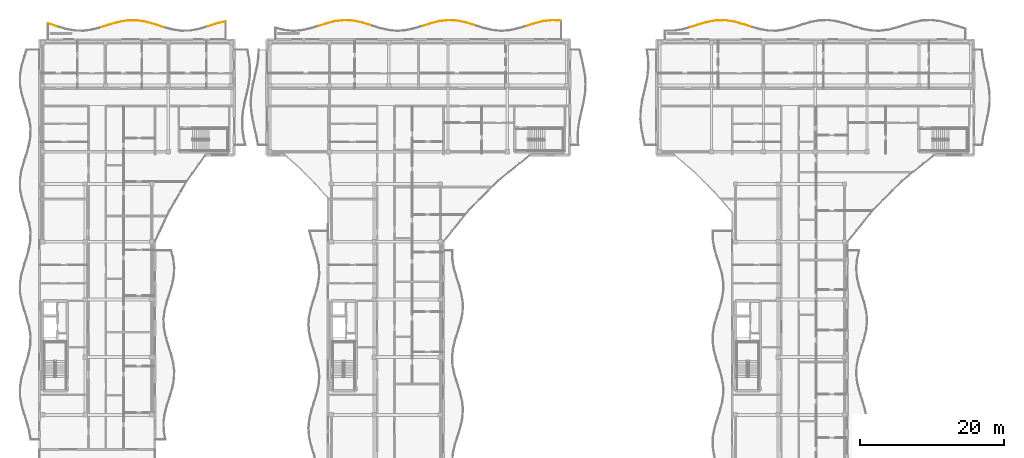
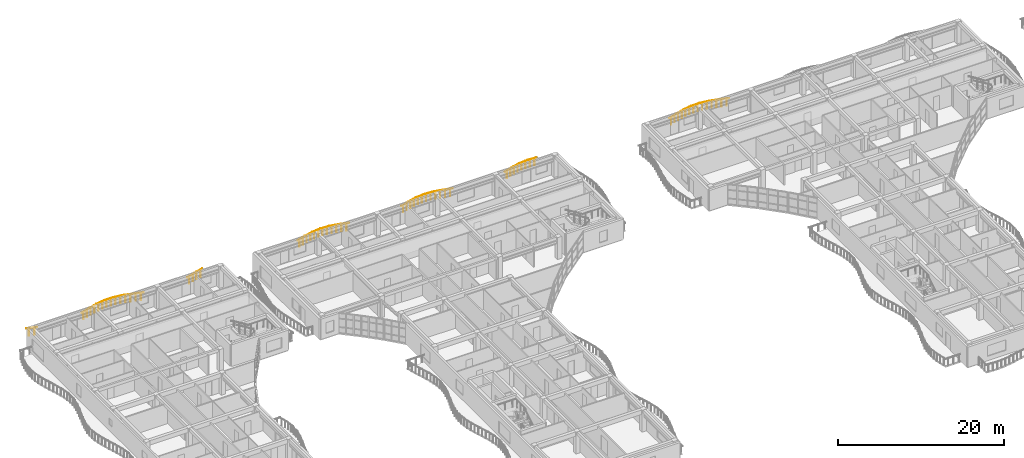
# One storey, part 65 of 72: 33 railings.
"""IFC4 building model written with IfcOpenShell, lengths in metres."""

from ifc_helpers import new_model, si_unit, direction, frame, origin, origin_2d, place, context, subcontext, project, spatial, circle, extrude, material, type_object, element, save


model = new_model("IFC4")

# Units and contexts
model_context = context("Model", 3, precision=1e-05, world=origin(), true_north=direction((0.0, 1.0)))
body_context = subcontext(model_context, "Body", "Model", "MODEL_VIEW")
ifc_project = project(units=[si_unit("LENGTHUNIT", "METRE"), si_unit("AREAUNIT", "SQUARE_METRE"), si_unit("VOLUMEUNIT", "CUBIC_METRE"), si_unit("PLANEANGLEUNIT", "RADIAN"), si_unit("MASSUNIT", "GRAM", prefix="KILO")], contexts=[model_context])

# Site, building, storey
site_placement = place(None, origin())
site = spatial("IfcSite", under=ifc_project, at=site_placement, CompositionType="ELEMENT")
building_placement = place(site_placement, origin())
building = spatial("IfcBuilding", under=site, at=building_placement, Name="Keldmere Railside Commons", CompositionType="ELEMENT")
storey_placement = place(building_placement, frame((0.0, 0.0, 16.9599609375)))
storey = spatial("IfcBuildingStorey", under=building, at=storey_placement, Name="L05", CompositionType="ELEMENT", Elevation=16.9599609375)

# Railings
ifc_material = material(Name="Steel F-24 (S235)", Category="steel")
railing_type = type_object("IfcRailingType", Name="Balcony & Terrace Steel Balustrade 1100", PredefinedType="BALUSTRADE", material=ifc_material)
railing_1_placement = place(storey_placement, frame((9.199951171875, 118.236083984375, 0.0)))
element("IfcRailing", 1, at=railing_1_placement, inside=storey, type_object=railing_type, Name="GR-1 GRD-L05-0504", PredefinedType="BALUSTRADE", context=body_context, shape_type="SweptSolid", body=[
    extrude(circle(Radius=0.02392578125, at=origin_2d()), frame((0.0, 0.0, 1.076171875), z_axis=(0.952213242201, -0.305434021317, 0.0), x_axis=(0.305434021317, 0.952213242201, 0.0)), (0.0, 0.0, 1.0), 1.291748046875),
    extrude(circle(Radius=0.02099609375, at=origin_2d()), frame((0.3076171875, -0.0986328125, 0.0)), (0.0, 0.0, 1.0), 1.048095703125),
    extrude(circle(Radius=0.02099609375, at=origin_2d()), frame((0.92236328125, -0.2958984375, 0.0)), (0.0, 0.0, 1.0), 1.048095703125),
])
railing_2_placement = place(storey_placement, frame((16.580078125, 117.718994140625, 0.0)))
element("IfcRailing", 2, at=railing_2_placement, inside=storey, type_object=railing_type, Name="GR-1 GRD-L05-0510", PredefinedType="BALUSTRADE", context=body_context, shape_type="SweptSolid", body=[
    extrude(circle(Radius=0.02392578125, at=origin_2d()), frame((0.0, 0.0, 1.076171875), z_axis=(0.951607090791, 0.307317335593, 0.0), x_axis=(-0.307317335593, 0.951607090791, 0.0)), (0.0, 0.0, 1.0), 1.29248046875),
    extrude(circle(Radius=0.02099609375, at=origin_2d()), frame((0.3076171875, 0.099365234375, 0.0)), (0.0, 0.0, 1.0), 1.048095703125),
    extrude(circle(Radius=0.02099609375, at=origin_2d()), frame((0.92236328125, 0.2978515625, 0.0)), (0.0, 0.0, 1.0), 1.048095703125),
])
railing_3_placement = place(storey_placement, frame((17.81005859375, 118.1162109375, 0.0)))
element("IfcRailing", 3, at=railing_3_placement, inside=storey, type_object=railing_type, Name="GR-1 GRD-L05-0511", PredefinedType="BALUSTRADE", context=body_context, shape_type="SweptSolid", body=[
    extrude(circle(Radius=0.02392578125, at=origin_2d()), frame((0.0, 0.0, 1.076171875), z_axis=(0.961696637472, 0.274115992737, 0.0), x_axis=(-0.274115992737, 0.961696637472, 0.0)), (0.0, 0.0, 1.0), 1.279052734375),
    extrude(circle(Radius=0.02099609375, at=origin_2d()), frame((0.3076171875, 0.087646484375, 0.0)), (0.0, 0.0, 1.0), 1.048095703125),
    extrude(circle(Radius=0.02099609375, at=origin_2d()), frame((0.92236328125, 0.262939453125, 0.0)), (0.0, 0.0, 1.0), 1.048095703125),
])
railing_4_placement = place(storey_placement, frame((19.0400390625, 118.466796875, 0.0)))
element("IfcRailing", 4, at=railing_4_placement, inside=storey, type_object=railing_type, Name="GR-1 GRD-L05-0512", PredefinedType="BALUSTRADE", context=body_context, shape_type="SweptSolid", body=[
    extrude(circle(Radius=0.02392578125, at=origin_2d()), frame((0.0, 0.0, 1.076171875), z_axis=(0.98635155981, 0.16465296979, 0.0), x_axis=(-0.16465296979, 0.98635155981, 0.0)), (0.0, 0.0, 1.0), 1.2470703125),
    extrude(circle(Radius=0.02099609375, at=origin_2d()), frame((0.3076171875, 0.05126953125, 0.0)), (0.0, 0.0, 1.0), 1.048095703125),
    extrude(circle(Radius=0.02099609375, at=origin_2d()), frame((0.92236328125, 0.154052734375, 0.0)), (0.0, 0.0, 1.0), 1.048095703125),
])
railing_5_placement = place(storey_placement, frame((20.27001953125, 118.672119140625, 0.0)))
element("IfcRailing", 5, at=railing_5_placement, inside=storey, type_object=railing_type, Name="GR-1 GRD-L05-0513", PredefinedType="BALUSTRADE", context=body_context, shape_type="SweptSolid", body=[
    extrude(circle(Radius=0.02392578125, at=origin_2d()), frame((0.0, 0.0, 1.076171875), z_axis=(0.99999840435, 0.001786420333, 0.0), x_axis=(-0.001786420333, 0.99999840435, 0.0)), (0.0, 0.0, 1.0), 1.22998046875),
    extrude(circle(Radius=0.02099609375, at=origin_2d()), frame((0.3076171875, 0.00048828125, 0.0)), (0.0, 0.0, 1.0), 1.048095703125),
    extrude(circle(Radius=0.02099609375, at=origin_2d()), frame((0.92236328125, 0.001708984375, 0.0)), (0.0, 0.0, 1.0), 1.048095703125),
])
railing_6_placement = place(storey_placement, frame((21.5, 118.67431640625, 0.0)))
element("IfcRailing", 6, at=railing_6_placement, inside=storey, type_object=railing_type, Name="GR-1 GRD-L05-0514", PredefinedType="BALUSTRADE", context=body_context, shape_type="SweptSolid", body=[
    extrude(circle(Radius=0.02392578125, at=origin_2d()), frame((0.0, 0.0, 1.076171875), z_axis=(0.986824589142, -0.161793789327, 0.0), x_axis=(0.161793789327, 0.986824589142, 0.0)), (0.0, 0.0, 1.0), 1.246337890625),
    extrude(circle(Radius=0.02099609375, at=origin_2d()), frame((0.3076171875, -0.05029296875, 0.0)), (0.0, 0.0, 1.0), 1.048095703125),
    extrude(circle(Radius=0.02099609375, at=origin_2d()), frame((0.92236328125, -0.1513671875, 0.0)), (0.0, 0.0, 1.0), 1.048095703125),
])
railing_7_placement = place(storey_placement, frame((22.72998046875, 118.47265625, 0.0)))
element("IfcRailing", 7, at=railing_7_placement, inside=storey, type_object=railing_type, Name="GR-1 GRD-L05-0515", PredefinedType="BALUSTRADE", context=body_context, shape_type="SweptSolid", body=[
    extrude(circle(Radius=0.02392578125, at=origin_2d()), frame((0.0, 0.0, 1.076171875), z_axis=(0.962148428688, -0.272525964219, 0.0), x_axis=(0.272525964219, 0.962148428688, 0.0)), (0.0, 0.0, 1.0), 1.2783203125),
    extrude(circle(Radius=0.02099609375, at=origin_2d()), frame((0.3076171875, -0.087158203125, 0.0)), (0.0, 0.0, 1.0), 1.048095703125),
    extrude(circle(Radius=0.02099609375, at=origin_2d()), frame((0.92236328125, -0.26123046875, 0.0)), (0.0, 0.0, 1.0), 1.048095703125),
])
railing_8_placement = place(storey_placement, frame((23.9599609375, 118.124267578125, 0.0)))
element("IfcRailing", 8, at=railing_8_placement, inside=storey, type_object=railing_type, Name="GR-1 GRD-L05-0516", PredefinedType="BALUSTRADE", context=body_context, shape_type="SweptSolid", body=[
    extrude(circle(Radius=0.02392578125, at=origin_2d()), frame((0.0, 0.0, 1.076171875), z_axis=(0.951551839828, -0.307488367455, 0.0), x_axis=(0.307488367455, 0.951551839828, 0.0)), (0.0, 0.0, 1.0), 1.292724609375),
    extrude(circle(Radius=0.02099609375, at=origin_2d()), frame((0.3076171875, -0.099365234375, 0.0)), (0.0, 0.0, 1.0), 1.048095703125),
    extrude(circle(Radius=0.02099609375, at=origin_2d()), frame((0.92236328125, -0.298095703125, 0.0)), (0.0, 0.0, 1.0), 1.048095703125),
])
railing_9_placement = place(storey_placement, frame((31.340087890625, 117.83349609375, 0.0)))
element("IfcRailing", 9, at=railing_9_placement, inside=storey, type_object=railing_type, Name="GR-1 GRD-L05-0522", PredefinedType="BALUSTRADE", context=body_context, shape_type="SweptSolid", body=[
    extrude(circle(Radius=0.02392578125, at=origin_2d()), frame((0.0, 0.0, 1.076171875), z_axis=(0.952048221297, 0.305948009186, 0.0), x_axis=(-0.305948009186, 0.952048221297, 0.0)), (0.0, 0.0, 1.0), 1.2919921875),
    extrude(circle(Radius=0.02099609375, at=origin_2d()), frame((0.3076171875, 0.098876953125, 0.0)), (0.0, 0.0, 1.0), 1.048095703125),
    extrude(circle(Radius=0.02099609375, at=origin_2d()), frame((0.92236328125, 0.29638671875, 0.0)), (0.0, 0.0, 1.0), 1.048095703125),
])
railing_10_placement = place(storey_placement, frame((32.570068359375, 118.228759765625, 0.0)))
element("IfcRailing", 10, at=railing_10_placement, inside=storey, type_object=railing_type, Name="GR-1 GRD-L05-0523", PredefinedType="BALUSTRADE", context=body_context, shape_type="SweptSolid", body=[
    extrude(circle(Radius=0.02392578125, at=origin_2d()), frame((0.0, 0.0, 1.076171875), z_axis=(0.968422686857, 0.249314058129, 0.0), x_axis=(-0.249314058129, 0.968422686857, 0.0)), (0.0, 0.0, 1.0), 1.27001953125),
    extrude(circle(Radius=0.02099609375, at=origin_2d()), frame((0.3076171875, 0.0791015625, 0.0)), (0.0, 0.0, 1.0), 1.048095703125),
    extrude(circle(Radius=0.02099609375, at=origin_2d()), frame((0.92236328125, 0.237548828125, 0.0)), (0.0, 0.0, 1.0), 1.048095703125),
])
railing_11_placement = place(storey_placement, frame((46.699951171875, 117.901123046875, 0.0)))
element("IfcRailing", 11, at=railing_11_placement, inside=storey, type_object=railing_type, Name="GR-1 GRD-L05-1312", PredefinedType="BALUSTRADE", context=body_context, shape_type="SweptSolid", body=[
    extrude(circle(Radius=0.02392578125, at=origin_2d()), frame((0.0, 0.0, 1.076171875), z_axis=(0.953142020151, 0.302523204768, 0.0), x_axis=(-0.302523204768, 0.953142020151, 0.0)), (0.0, 0.0, 1.0), 1.259033203125),
    extrude(circle(Radius=0.02099609375, at=origin_2d()), frame((0.300048828125, 0.09521484375, 0.0)), (0.0, 0.0, 1.0), 1.048095703125),
    extrude(circle(Radius=0.02099609375, at=origin_2d()), frame((0.89990234375, 0.28564453125, 0.0)), (0.0, 0.0, 1.0), 1.048095703125),
])
railing_12_placement = place(storey_placement, frame((47.89990234375, 118.281982421875, 0.0)))
element("IfcRailing", 12, at=railing_12_placement, inside=storey, type_object=railing_type, Name="GR-1 GRD-L05-1313", PredefinedType="BALUSTRADE", context=body_context, shape_type="SweptSolid", body=[
    extrude(circle(Radius=0.02392578125, at=origin_2d()), frame((0.0, 0.0, 1.076171875), z_axis=(0.971703171195, 0.236205307074, 0.0), x_axis=(-0.236205307074, 0.971703171195, 0.0)), (0.0, 0.0, 1.0), 1.235107421875),
    extrude(circle(Radius=0.02099609375, at=origin_2d()), frame((0.300048828125, 0.072998046875, 0.0)), (0.0, 0.0, 1.0), 1.048095703125),
    extrude(circle(Radius=0.02099609375, at=origin_2d()), frame((0.900146484375, 0.21875, 0.0)), (0.0, 0.0, 1.0), 1.048095703125),
])
railing_13_placement = place(storey_placement, frame((49.10009765625, 118.57373046875, 0.0)))
element("IfcRailing", 13, at=railing_13_placement, inside=storey, type_object=railing_type, Name="GR-1 GRD-L05-1314", PredefinedType="BALUSTRADE", context=body_context, shape_type="SweptSolid", body=[
    extrude(circle(Radius=0.02392578125, at=origin_2d()), frame((0.0, 0.0, 1.076171875), z_axis=(0.994638808846, 0.103410057237, 0.0), x_axis=(-0.103410057237, 0.994638808846, 0.0)), (0.0, 0.0, 1.0), 1.206298828125),
    extrude(circle(Radius=0.02099609375, at=origin_2d()), frame((0.300048828125, 0.03125, 0.0)), (0.0, 0.0, 1.0), 1.048095703125),
    extrude(circle(Radius=0.02099609375, at=origin_2d()), frame((0.89990234375, 0.093505859375, 0.0)), (0.0, 0.0, 1.0), 1.048095703125),
])
railing_14_placement = place(storey_placement, frame((50.300048828125, 118.698486328125, 0.0)))
element("IfcRailing", 14, at=railing_14_placement, inside=storey, type_object=railing_type, Name="GR-1 GRD-L05-1315", PredefinedType="BALUSTRADE", context=body_context, shape_type="SweptSolid", body=[
    extrude(circle(Radius=0.02392578125, at=origin_2d()), frame((0.0, 0.0, 1.076171875), z_axis=(0.998004085194, -0.063149393794, 0.0), x_axis=(0.063149393794, 0.998004085194, 0.0)), (0.0, 0.0, 1.0), 1.202392578125),
    extrude(circle(Radius=0.02099609375, at=origin_2d()), frame((0.300048828125, -0.01904296875, 0.0)), (0.0, 0.0, 1.0), 1.048095703125),
    extrude(circle(Radius=0.02099609375, at=origin_2d()), frame((0.89990234375, -0.056884765625, 0.0)), (0.0, 0.0, 1.0), 1.048095703125),
])
railing_15_placement = place(storey_placement, frame((51.5, 118.62255859375, 0.0)))
element("IfcRailing", 15, at=railing_15_placement, inside=storey, type_object=railing_type, Name="GR-1 GRD-L05-1316", PredefinedType="BALUSTRADE", context=body_context, shape_type="SweptSolid", body=[
    extrude(circle(Radius=0.02392578125, at=origin_2d()), frame((0.0, 0.0, 1.076171875), z_axis=(0.977973885386, -0.208727284999, 0.0), x_axis=(0.208727284999, 0.977973885386, 0.0)), (0.0, 0.0, 1.0), 1.22705078125),
    extrude(circle(Radius=0.02099609375, at=origin_2d()), frame((0.300048828125, -0.06396484375, 0.0)), (0.0, 0.0, 1.0), 1.048095703125),
    extrude(circle(Radius=0.02099609375, at=origin_2d()), frame((0.89990234375, -0.192138671875, 0.0)), (0.0, 0.0, 1.0), 1.048095703125),
])
railing_16_placement = place(storey_placement, frame((52.699951171875, 118.366455078125, 0.0)))
element("IfcRailing", 16, at=railing_16_placement, inside=storey, type_object=railing_type, Name="GR-1 GRD-L05-1317", PredefinedType="BALUSTRADE", context=body_context, shape_type="SweptSolid", body=[
    extrude(circle(Radius=0.02392578125, at=origin_2d()), frame((0.0, 0.0, 1.076171875), z_axis=(0.956123250848, -0.292964723454, 0.0), x_axis=(0.292964723454, 0.956123250848, 0.0)), (0.0, 0.0, 1.0), 1.255126953125),
    extrude(circle(Radius=0.02099609375, at=origin_2d()), frame((0.300048828125, -0.091796875, 0.0)), (0.0, 0.0, 1.0), 1.048095703125),
    extrude(circle(Radius=0.02099609375, at=origin_2d()), frame((0.89990234375, -0.27587890625, 0.0)), (0.0, 0.0, 1.0), 1.048095703125),
])
railing_17_placement = place(storey_placement, frame((61.10009765625, 117.901123046875, 0.0)))
element("IfcRailing", 17, at=railing_17_placement, inside=storey, type_object=railing_type, Name="GR-1 GRD-L05-1324", PredefinedType="BALUSTRADE", context=body_context, shape_type="SweptSolid", body=[
    extrude(circle(Radius=0.02392578125, at=origin_2d()), frame((0.0, 0.0, 1.076171875), z_axis=(0.953142020151, 0.302523204768, 0.0), x_axis=(-0.302523204768, 0.953142020151, 0.0)), (0.0, 0.0, 1.0), 1.259033203125),
    extrude(circle(Radius=0.02099609375, at=origin_2d()), frame((0.300048828125, 0.09521484375, 0.0)), (0.0, 0.0, 1.0), 1.048095703125),
    extrude(circle(Radius=0.02099609375, at=origin_2d()), frame((0.89990234375, 0.28564453125, 0.0)), (0.0, 0.0, 1.0), 1.048095703125),
])
railing_18_placement = place(storey_placement, frame((62.300048828125, 118.281982421875, 0.0)))
element("IfcRailing", 18, at=railing_18_placement, inside=storey, type_object=railing_type, Name="GR-1 GRD-L05-1325", PredefinedType="BALUSTRADE", context=body_context, shape_type="SweptSolid", body=[
    extrude(circle(Radius=0.02392578125, at=origin_2d()), frame((0.0, 0.0, 1.076171875), z_axis=(0.971692139908, 0.23625068305, 0.0), x_axis=(-0.23625068305, 0.971692139908, 0.0)), (0.0, 0.0, 1.0), 1.23486328125),
    extrude(circle(Radius=0.02099609375, at=origin_2d()), frame((0.300048828125, 0.072998046875, 0.0)), (0.0, 0.0, 1.0), 1.048095703125),
    extrude(circle(Radius=0.02099609375, at=origin_2d()), frame((0.89990234375, 0.21875, 0.0)), (0.0, 0.0, 1.0), 1.048095703125),
])
railing_19_placement = place(storey_placement, frame((63.5, 118.57373046875, 0.0)))
element("IfcRailing", 19, at=railing_19_placement, inside=storey, type_object=railing_type, Name="GR-1 GRD-L05-1326", PredefinedType="BALUSTRADE", context=body_context, shape_type="SweptSolid", body=[
    extrude(circle(Radius=0.02392578125, at=origin_2d()), frame((0.0, 0.0, 1.076171875), z_axis=(0.994638808846, 0.103410057237, 0.0), x_axis=(-0.103410057237, 0.994638808846, 0.0)), (0.0, 0.0, 1.0), 1.206298828125),
    extrude(circle(Radius=0.02099609375, at=origin_2d()), frame((0.300048828125, 0.03125, 0.0)), (0.0, 0.0, 1.0), 1.048095703125),
    extrude(circle(Radius=0.02099609375, at=origin_2d()), frame((0.89990234375, 0.093505859375, 0.0)), (0.0, 0.0, 1.0), 1.048095703125),
])
railing_20_placement = place(storey_placement, frame((64.699951171875, 118.698486328125, 0.0)))
element("IfcRailing", 20, at=railing_20_placement, inside=storey, type_object=railing_type, Name="GR-1 GRD-L05-1327", PredefinedType="BALUSTRADE", context=body_context, shape_type="SweptSolid", body=[
    extrude(circle(Radius=0.02392578125, at=origin_2d()), frame((0.0, 0.0, 1.076171875), z_axis=(0.998004085194, -0.063149393794, 0.0), x_axis=(0.063149393794, 0.998004085194, 0.0)), (0.0, 0.0, 1.0), 1.202392578125),
    extrude(circle(Radius=0.02099609375, at=origin_2d()), frame((0.300048828125, -0.01904296875, 0.0)), (0.0, 0.0, 1.0), 1.048095703125),
    extrude(circle(Radius=0.02099609375, at=origin_2d()), frame((0.89990234375, -0.056884765625, 0.0)), (0.0, 0.0, 1.0), 1.048095703125),
])
railing_21_placement = place(storey_placement, frame((65.89990234375, 118.62255859375, 0.0)))
element("IfcRailing", 21, at=railing_21_placement, inside=storey, type_object=railing_type, Name="GR-1 GRD-L05-1328", PredefinedType="BALUSTRADE", context=body_context, shape_type="SweptSolid", body=[
    extrude(circle(Radius=0.02392578125, at=origin_2d()), frame((0.0, 0.0, 1.076171875), z_axis=(0.97798255172, -0.208686675499, 0.0), x_axis=(0.208686675499, 0.97798255172, 0.0)), (0.0, 0.0, 1.0), 1.227294921875),
    extrude(circle(Radius=0.02099609375, at=origin_2d()), frame((0.300048828125, -0.06396484375, 0.0)), (0.0, 0.0, 1.0), 1.048095703125),
    extrude(circle(Radius=0.02099609375, at=origin_2d()), frame((0.900146484375, -0.192138671875, 0.0)), (0.0, 0.0, 1.0), 1.048095703125),
])
railing_22_placement = place(storey_placement, frame((67.10009765625, 118.366455078125, 0.0)))
element("IfcRailing", 22, at=railing_22_placement, inside=storey, type_object=railing_type, Name="GR-1 GRD-L05-1329", PredefinedType="BALUSTRADE", context=body_context, shape_type="SweptSolid", body=[
    extrude(circle(Radius=0.02392578125, at=origin_2d()), frame((0.0, 0.0, 1.076171875), z_axis=(0.956123250848, -0.292964723454, 0.0), x_axis=(0.292964723454, 0.956123250848, 0.0)), (0.0, 0.0, 1.0), 1.255126953125),
    extrude(circle(Radius=0.02099609375, at=origin_2d()), frame((0.300048828125, -0.091796875, 0.0)), (0.0, 0.0, 1.0), 1.048095703125),
    extrude(circle(Radius=0.02099609375, at=origin_2d()), frame((0.89990234375, -0.27587890625, 0.0)), (0.0, 0.0, 1.0), 1.048095703125),
])
railing_23_placement = place(storey_placement, frame((75.5, 117.901123046875, 0.0)))
element("IfcRailing", 23, at=railing_23_placement, inside=storey, type_object=railing_type, Name="GR-1 GRD-L05-1336", PredefinedType="BALUSTRADE", context=body_context, shape_type="SweptSolid", body=[
    extrude(circle(Radius=0.02392578125, at=origin_2d()), frame((0.0, 0.0, 1.076171875), z_axis=(0.953142020151, 0.302523204768, 0.0), x_axis=(-0.302523204768, 0.953142020151, 0.0)), (0.0, 0.0, 1.0), 1.259033203125),
    extrude(circle(Radius=0.02099609375, at=origin_2d()), frame((0.300048828125, 0.09521484375, 0.0)), (0.0, 0.0, 1.0), 1.048095703125),
    extrude(circle(Radius=0.02099609375, at=origin_2d()), frame((0.89990234375, 0.28564453125, 0.0)), (0.0, 0.0, 1.0), 1.048095703125),
])
railing_24_placement = place(storey_placement, frame((76.699951171875, 118.281982421875, 0.0)))
element("IfcRailing", 24, at=railing_24_placement, inside=storey, type_object=railing_type, Name="GR-1 GRD-L05-1337", PredefinedType="BALUSTRADE", context=body_context, shape_type="SweptSolid", body=[
    extrude(circle(Radius=0.02392578125, at=origin_2d()), frame((0.0, 0.0, 1.076171875), z_axis=(0.971692139908, 0.23625068305, 0.0), x_axis=(-0.23625068305, 0.971692139908, 0.0)), (0.0, 0.0, 1.0), 1.23486328125),
    extrude(circle(Radius=0.02099609375, at=origin_2d()), frame((0.300048828125, 0.072998046875, 0.0)), (0.0, 0.0, 1.0), 1.048095703125),
    extrude(circle(Radius=0.02099609375, at=origin_2d()), frame((0.89990234375, 0.21875, 0.0)), (0.0, 0.0, 1.0), 1.048095703125),
])
railing_25_placement = place(storey_placement, frame((77.89990234375, 118.57373046875, 0.0)))
element("IfcRailing", 25, at=railing_25_placement, inside=storey, type_object=railing_type, Name="GR-1 GRD-L05-1338", PredefinedType="BALUSTRADE", context=body_context, shape_type="SweptSolid", body=[
    extrude(circle(Radius=0.02392578125, at=origin_2d()), frame((0.0, 0.0, 1.076171875), z_axis=(0.994640972243, 0.103389246708, 0.0), x_axis=(-0.103389246708, 0.994640972243, 0.0)), (0.0, 0.0, 1.0), 1.20654296875),
    extrude(circle(Radius=0.02099609375, at=origin_2d()), frame((0.300048828125, 0.03125, 0.0)), (0.0, 0.0, 1.0), 1.048095703125),
    extrude(circle(Radius=0.02099609375, at=origin_2d()), frame((0.900146484375, 0.093505859375, 0.0)), (0.0, 0.0, 1.0), 1.048095703125),
])
railing_26_placement = place(storey_placement, frame((79.10009765625, 118.698486328125, 0.0)))
element("IfcRailing", 26, at=railing_26_placement, inside=storey, type_object=railing_type, Name="GR-1 GRD-L05-1339", PredefinedType="BALUSTRADE", context=body_context, shape_type="SweptSolid", body=[
    extrude(circle(Radius=0.02392578125, at=origin_2d()), frame((0.0, 0.0, 1.076171875), z_axis=(0.998004085194, -0.063149393794, 0.0), x_axis=(0.063149393794, 0.998004085194, 0.0)), (0.0, 0.0, 1.0), 1.202392578125),
    extrude(circle(Radius=0.02099609375, at=origin_2d()), frame((0.300048828125, -0.01904296875, 0.0)), (0.0, 0.0, 1.0), 1.048095703125),
    extrude(circle(Radius=0.02099609375, at=origin_2d()), frame((0.89990234375, -0.056884765625, 0.0)), (0.0, 0.0, 1.0), 1.048095703125),
])
railing_27_placement = place(storey_placement, frame((98.265625, 117.74462890625, 0.0)))
element("IfcRailing", 27, at=railing_27_placement, inside=storey, type_object=railing_type, Name="GR-1 GRD-L05-2372", PredefinedType="BALUSTRADE", context=body_context, shape_type="SweptSolid", body=[
    extrude(circle(Radius=0.02392578125, at=origin_2d()), frame((0.0, 0.0, 1.076171875), z_axis=(0.951459666784, 0.307773459681, 0.0), x_axis=(-0.307773459681, 0.951459666784, 0.0)), (0.0, 0.0, 1.0), 1.249267578125),
    extrude(circle(Radius=0.02099609375, at=origin_2d()), frame((0.297119140625, 0.09619140625, 0.0)), (0.0, 0.0, 1.0), 1.048095703125),
    extrude(circle(Radius=0.02099609375, at=origin_2d()), frame((0.8916015625, 0.288330078125, 0.0)), (0.0, 0.0, 1.0), 1.048095703125),
])
railing_28_placement = place(storey_placement, frame((99.454345703125, 118.129150390625, 0.0)))
element("IfcRailing", 28, at=railing_28_placement, inside=storey, type_object=railing_type, Name="GR-1 GRD-L05-2373", PredefinedType="BALUSTRADE", context=body_context, shape_type="SweptSolid", body=[
    extrude(circle(Radius=0.02392578125, at=origin_2d()), frame((0.0, 0.0, 1.076171875), z_axis=(0.961984928143, 0.273102541227, 0.0), x_axis=(-0.273102541227, 0.961984928143, 0.0)), (0.0, 0.0, 1.0), 1.2353515625),
    extrude(circle(Radius=0.02099609375, at=origin_2d()), frame((0.297119140625, 0.08447265625, 0.0)), (0.0, 0.0, 1.0), 1.048095703125),
    extrude(circle(Radius=0.02099609375, at=origin_2d()), frame((0.891357421875, 0.2529296875, 0.0)), (0.0, 0.0, 1.0), 1.048095703125),
])
railing_29_placement = place(storey_placement, frame((100.642822265625, 118.466552734375, 0.0)))
element("IfcRailing", 29, at=railing_29_placement, inside=storey, type_object=railing_type, Name="GR-1 GRD-L05-2374", PredefinedType="BALUSTRADE", context=body_context, shape_type="SweptSolid", body=[
    extrude(circle(Radius=0.02392578125, at=origin_2d()), frame((0.0, 0.0, 1.076171875), z_axis=(0.985908000731, 0.167288415901, 0.0), x_axis=(-0.167288415901, 0.985908000731, 0.0)), (0.0, 0.0, 1.0), 1.20556640625),
    extrude(circle(Radius=0.02099609375, at=origin_2d()), frame((0.297119140625, 0.05029296875, 0.0)), (0.0, 0.0, 1.0), 1.048095703125),
    extrude(circle(Radius=0.02099609375, at=origin_2d()), frame((0.891357421875, 0.1513671875, 0.0)), (0.0, 0.0, 1.0), 1.048095703125),
])
railing_30_placement = place(storey_placement, frame((101.831298828125, 118.668212890625, 0.0)))
element("IfcRailing", 30, at=railing_30_placement, inside=storey, type_object=railing_type, Name="GR-1 GRD-L05-2375", PredefinedType="BALUSTRADE", context=body_context, shape_type="SweptSolid", body=[
    extrude(circle(Radius=0.02392578125, at=origin_2d()), frame((0.0, 0.0, 1.076171875), z_axis=(0.999942975696, 0.010679202041, 0.0), x_axis=(-0.010679202041, 0.999942975696, 0.0)), (0.0, 0.0, 1.0), 1.188720703125),
    extrude(circle(Radius=0.02099609375, at=origin_2d()), frame((0.297119140625, 0.003173828125, 0.0)), (0.0, 0.0, 1.0), 1.048095703125),
    extrude(circle(Radius=0.02099609375, at=origin_2d()), frame((0.8916015625, 0.009521484375, 0.0)), (0.0, 0.0, 1.0), 1.048095703125),
])
railing_31_placement = place(storey_placement, frame((103.02001953125, 118.680908203125, 0.0)))
element("IfcRailing", 31, at=railing_31_placement, inside=storey, type_object=railing_type, Name="GR-1 GRD-L05-2376", PredefinedType="BALUSTRADE", context=body_context, shape_type="SweptSolid", body=[
    extrude(circle(Radius=0.02392578125, at=origin_2d()), frame((0.0, 0.0, 1.076171875), z_axis=(0.988792864232, -0.149293910273, 0.0), x_axis=(0.149293910273, 0.988792864232, 0.0)), (0.0, 0.0, 1.0), 1.201904296875),
    extrude(circle(Radius=0.02099609375, at=origin_2d()), frame((0.297119140625, -0.044921875, 0.0)), (0.0, 0.0, 1.0), 1.048095703125),
    extrude(circle(Radius=0.02099609375, at=origin_2d()), frame((0.891357421875, -0.134521484375, 0.0)), (0.0, 0.0, 1.0), 1.048095703125),
])
railing_32_placement = place(storey_placement, frame((104.20849609375, 118.50146484375, 0.0)))
element("IfcRailing", 32, at=railing_32_placement, inside=storey, type_object=railing_type, Name="GR-1 GRD-L05-2377", PredefinedType="BALUSTRADE", context=body_context, shape_type="SweptSolid", body=[
    extrude(circle(Radius=0.02392578125, at=origin_2d()), frame((0.0, 0.0, 1.076171875), z_axis=(0.964708932698, -0.263318581137, 0.0), x_axis=(0.263318581137, 0.964708932698, 0.0)), (0.0, 0.0, 1.0), 1.232177734375),
    extrude(circle(Radius=0.02099609375, at=origin_2d()), frame((0.297119140625, -0.0810546875, 0.0)), (0.0, 0.0, 1.0), 1.048095703125),
    extrude(circle(Radius=0.02099609375, at=origin_2d()), frame((0.8916015625, -0.243408203125, 0.0)), (0.0, 0.0, 1.0), 1.048095703125),
])
railing_33_placement = place(storey_placement, frame((105.397216796875, 118.177001953125, 0.0)))
element("IfcRailing", 33, at=railing_33_placement, inside=storey, type_object=railing_type, Name="GR-1 GRD-L05-2378", PredefinedType="BALUSTRADE", context=body_context, shape_type="SweptSolid", body=[
    extrude(circle(Radius=0.02392578125, at=origin_2d()), frame((0.0, 0.0, 1.076171875), z_axis=(0.951498381706, -0.307653749549, 0.0), x_axis=(0.307653749549, 0.951498381706, 0.0)), (0.0, 0.0, 1.0), 1.2490234375),
    extrude(circle(Radius=0.02099609375, at=origin_2d()), frame((0.297119140625, -0.09619140625, 0.0)), (0.0, 0.0, 1.0), 1.048095703125),
    extrude(circle(Radius=0.02099609375, at=origin_2d()), frame((0.891357421875, -0.2880859375, 0.0)), (0.0, 0.0, 1.0), 1.048095703125),
])

save(model, "model.ifc")
